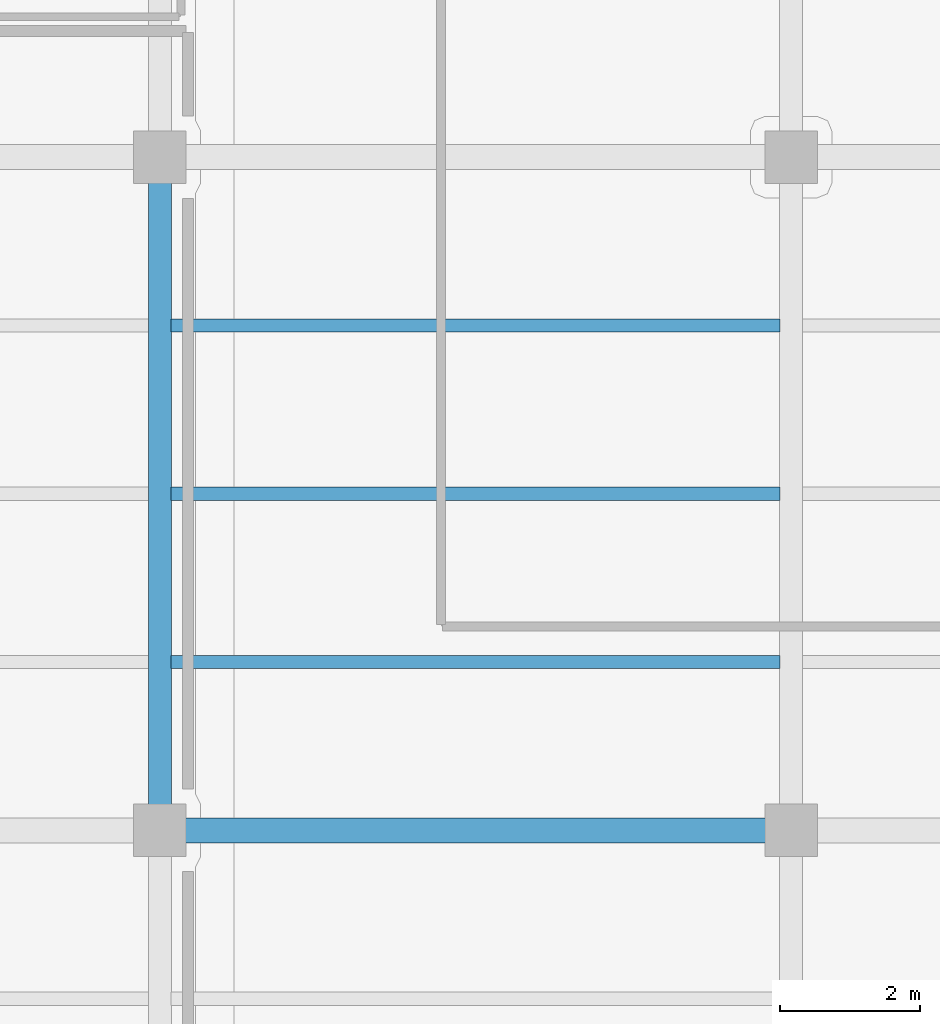
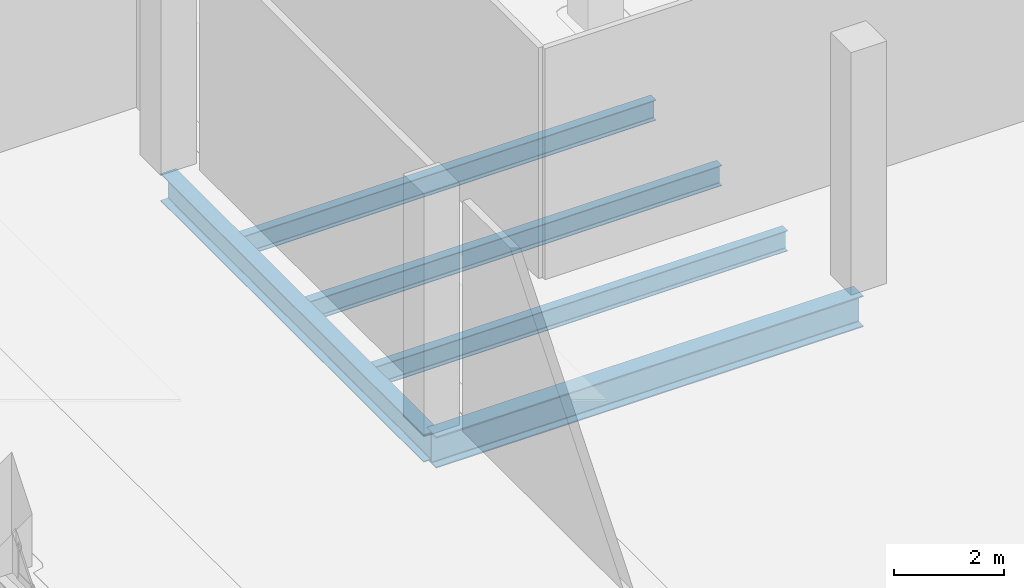
# One storey, part 12 of 47: 5 beams.
"""IFC4 building model written with IfcOpenShell, lengths in metres."""

import ifcopenshell
import ifcopenshell.guid

model = None  # the IFC model being written
_history = None  # IfcOwnerHistory: only IFC2X3 demands one
_inside = {}  # id of a spatial element -> (the spatial element, [elements in it])
_under = {}  # id of a project, library or spatial element -> (it, [spatial elements below it])
_declared = {}  # id of a project -> (the project, [libraries it declares])
_typed = {}  # id of a type object -> (the type object, [elements of that type])
_made_of = {}  # id of a material, layer set ... -> (it, [elements and type objects made of it])


def new_model(schema):
    """Start an empty IFC model of exactly this schema.

    Asked for "IFC4X3", IfcOpenShell would pick the latest addendum, in which some entities
    have other attributes; the version numbers below select the first issue.
    IFC2X3 requires an IfcOwnerHistory on every rooted entity: one is made here for all.
    """
    global model, _history
    if schema == "IFC4X3":
        model = ifcopenshell.file(schema_version=(4, 3, 0, 0))
    else:
        model = ifcopenshell.file(schema=schema)
    _inside.clear()
    _under.clear()
    _declared.clear()
    _typed.clear()
    _made_of.clear()
    _history = None
    if model.schema == "IFC2X3":
        org = make("IfcOrganization", Name="unknown")
        user = make(
            "IfcPersonAndOrganization",
            ThePerson=make("IfcPerson", FamilyName="unknown"),
            TheOrganization=org,
        )
        app = make(
            "IfcApplication",
            ApplicationDeveloper=org,
            Version="unknown",
            ApplicationFullName="unknown",
            ApplicationIdentifier="unknown",
        )
        _history = make(
            "IfcOwnerHistory",
            OwningUser=user,
            OwningApplication=app,
            ChangeAction="ADDED",
            CreationDate=0,
        )
    return model


def make(cls, **values):
    """One entity of the class cls with the attributes given. An attribute that is None is left unset."""
    return model.create_entity(
        cls, **{name: value for name, value in values.items() if value is not None}
    )


def rooted(cls, **values):
    """An entity with a GlobalId (a new one), such as an element, a storey or a relation."""
    return make(cls, GlobalId=ifcopenshell.guid.new(), OwnerHistory=_history, **values)


def si_unit(unit_type, name, prefix=None):
    """IfcSIUnit, for example si_unit("LENGTHUNIT", "METRE", prefix="MILLI")."""
    return make("IfcSIUnit", UnitType=unit_type, Prefix=prefix, Name=name)


def assignment(units):
    """IfcUnitAssignment: the units of a project."""
    return None if units is None else make("IfcUnitAssignment", Units=units)


def point(xyz):
    """IfcCartesianPoint."""
    return None if xyz is None else make("IfcCartesianPoint", Coordinates=xyz)


def direction(xyz):
    """IfcDirection."""
    return None if xyz is None else make("IfcDirection", DirectionRatios=xyz)


def frame(location, z_axis=None, x_axis=None):
    """IfcAxis2Placement3D, a coordinate frame: its origin and axes. An axis left out is left unset."""
    return make(
        "IfcAxis2Placement3D",
        Location=point(location),
        Axis=direction(z_axis),
        RefDirection=direction(x_axis),
    )


def frame_2d(location, x_axis=None):
    """IfcAxis2Placement2D, a coordinate frame in the plane: its origin and x axis."""
    return make(
        "IfcAxis2Placement2D", Location=point(location), RefDirection=direction(x_axis)
    )


def origin():
    """The frame at (0, 0, 0) with its axes left unset."""
    return frame((0.0, 0.0, 0.0))


def origin_2d():
    """The frame at (0, 0) in the plane with its x axis left unset."""
    return frame_2d((0.0, 0.0))


def place(relative_to, where):
    """IfcLocalPlacement: puts the frame where relative to a parent placement (None: the world)."""
    return make(
        "IfcLocalPlacement", PlacementRelTo=relative_to, RelativePlacement=where
    )


def context(
    kind, dimensions, precision=None, world=None, true_north=None, identifier=None
):
    """IfcGeometricRepresentationContext, for example the 3D "Model" context."""
    return make(
        "IfcGeometricRepresentationContext",
        ContextIdentifier=identifier,
        ContextType=kind,
        CoordinateSpaceDimension=dimensions,
        Precision=precision,
        WorldCoordinateSystem=world,
        TrueNorth=true_north,
    )


def subcontext(parent, identifier, kind, view, scale=None):
    """IfcGeometricRepresentationSubContext, for example "Body" below "Model"."""
    return make(
        "IfcGeometricRepresentationSubContext",
        ContextIdentifier=identifier,
        ContextType=kind,
        ParentContext=parent,
        TargetScale=scale,
        TargetView=view,
    )


def project(units=None, contexts=None):
    """IfcProject with its units and contexts."""
    return rooted(
        "IfcProject",
        Name="project",
        RepresentationContexts=contexts,
        UnitsInContext=assignment(units),
    )


def spatial(cls, under=None, at=None, **own):
    """A site, building, storey or space (cls), placed at a placement, below another one or the project."""
    s = rooted(cls, ObjectPlacement=at, **own)
    if under is not None:
        _under.setdefault(under.id(), (under, []))[1].append(s)
    return s


def profile(cls, at=None, kind="AREA", **sizes):
    """A parametric profile (cls). Its sizes go by their IFC names, for example OverallWidth=200.0."""
    return make(cls, ProfileType=kind, Position=at, **sizes)


def i_section(**sizes):
    """IfcIShapeProfileDef."""
    return profile("IfcIShapeProfileDef", **sizes)


def extrude(swept, where, along, depth):
    """IfcExtrudedAreaSolid: the profile swept, set in the frame where, extruded along a direction by depth."""
    return make(
        "IfcExtrudedAreaSolid",
        SweptArea=swept,
        Position=where,
        ExtrudedDirection=direction(along),
        Depth=depth,
    )


def shape(context_of_items, identifier, shape_type, items):
    """IfcShapeRepresentation: the items that make up one representation, for example the "Body"."""
    return make(
        "IfcShapeRepresentation",
        ContextOfItems=context_of_items,
        RepresentationIdentifier=identifier,
        RepresentationType=shape_type,
        Items=items,
    )


def material(Name=None, Category=None):
    """IfcMaterial."""
    return make("IfcMaterial", Name=Name, Category=Category)


def material_profile(
    of_material, cross_section, Name=None, Category=None, Priority=None
):
    """IfcMaterialProfile: a cross section and its material."""
    return make(
        "IfcMaterialProfile",
        Name=Name,
        Material=of_material,
        Profile=cross_section,
        Priority=Priority,
        Category=Category,
    )


def profile_set(profiles, Name=None, composite=None):
    """IfcMaterialProfileSet."""
    return make(
        "IfcMaterialProfileSet",
        Name=Name,
        MaterialProfiles=profiles,
        CompositeProfile=composite,
    )


def made_of(thing, what):
    """Note that an element or type object is made of a material, layer set ...; save() writes the relation."""
    if what is not None:
        _made_of.setdefault(what.id(), (what, []))[1].append(thing)
    return thing


def type_object(cls, material=None, **own):
    """A type object (cls), such as IfcWallType, which elements share."""
    return made_of(rooted(cls, **own), material)


def element(
    cls,
    number,
    at=None,
    inside=None,
    cuts=None,
    type_object=None,
    material=None,
    context=None,
    identifier="Body",
    shape_type=None,
    held_by="IfcProductDefinitionShape",
    body=None,
    shapes=None,
    **own,
):
    """One element of the class cls, such as IfcWall. Its Tag is "e" and its number.

    at: its placement. inside: the storey or other place that contains it. cuts: it is an
    opening in that element (IfcRelVoidsElement). A single representation is given by context,
    identifier, shape_type and body (its items); several are given by shapes. held_by: the class
    of the entity that holds the representations. save() writes the other relations.
    """
    e = rooted(cls, Tag="e%d" % number, ObjectPlacement=at, **own)
    if body is not None:
        shapes = [shape(context, identifier, shape_type, body)]
    if shapes is not None:
        e.Representation = make(held_by, Representations=shapes)
    if inside is not None:
        _inside.setdefault(inside.id(), (inside, []))[1].append(e)
    if cuts is not None:
        rooted(
            "IfcRelVoidsElement", RelatingBuildingElement=cuts, RelatedOpeningElement=e
        )
    if type_object is not None:
        _typed.setdefault(type_object.id(), (type_object, []))[1].append(e)
    return made_of(e, material)


def aggregate(whole, parts):
    """IfcRelAggregates: a whole, such as a stair, and the parts it consists of."""
    return rooted("IfcRelAggregates", RelatingObject=whole, RelatedObjects=parts)


def save(model, path):
    """Write the relations noted so far, then the file.

    IfcRelAggregates (storeys below a building ...), IfcRelContainedInSpatialStructure (elements
    in a storey), IfcRelDefinesByType, IfcRelAssociatesMaterial and IfcRelDeclares: one each for
    every whole, place, type object, material and project.
    """
    for whole, parts in _under.values():
        aggregate(whole, parts)
    for where, things in _inside.values():
        rooted(
            "IfcRelContainedInSpatialStructure",
            RelatedElements=things,
            RelatingStructure=where,
        )
    for kind, things in _typed.values():
        rooted("IfcRelDefinesByType", RelatedObjects=things, RelatingType=kind)
    for what, things in _made_of.values():
        rooted("IfcRelAssociatesMaterial", RelatedObjects=things, RelatingMaterial=what)
    for by, libraries in _declared.values():
        rooted("IfcRelDeclares", RelatingContext=by, RelatedDefinitions=libraries)
    model.write(path)


model = new_model("IFC4")

# Units and contexts
model_context = context("Model", 3, precision=1e-05, world=origin(), true_north=direction((0.0, 1.0)))
body_context = subcontext(model_context, "Body", "Model", "MODEL_VIEW")
ifc_project = project(units=[si_unit("LENGTHUNIT", "METRE"), si_unit("AREAUNIT", "SQUARE_METRE"), si_unit("VOLUMEUNIT", "CUBIC_METRE"), si_unit("PLANEANGLEUNIT", "RADIAN"), si_unit("MASSUNIT", "GRAM", prefix="KILO")], contexts=[model_context])

# Site, building, storey
site_placement = place(None, origin())
site = spatial("IfcSite", under=ifc_project, at=site_placement, CompositionType="ELEMENT")
building_placement = place(site_placement, origin())
building = spatial("IfcBuilding", under=site, at=building_placement, Name="Qorvath Tower", CompositionType="ELEMENT")
storey_placement = place(building_placement, frame((0.0, 0.0, 6.60009765625)))
storey = spatial("IfcBuildingStorey", under=building, at=storey_placement, Name="L01", CompositionType="ELEMENT", Elevation=6.60009765625)

# Beams
ifc_material_1 = material(Name="Steel ASTM A992 Grade 50", Category="steel")
ifc_material_profile_1 = material_profile(ifc_material_1, i_section(OverallWidth=0.35595703125, OverallDepth=0.696044921875, WebThickness=0.015380859375, FlangeThickness=0.02490234375, FilletRadius=0.01806640625, at=origin_2d()), Name="W27x146")
ifc_profile_set_1 = profile_set([ifc_material_profile_1], Name="Steel ASTM A992 Grade 50")
beam_type_1 = type_object("IfcBeamType", Name="BM-FG4", PredefinedType="BEAM", material=ifc_profile_set_1)
beam_1_placement = place(storey_placement, frame((41.39990234375, 9.60009765625, -0.60791015625), z_axis=(1.0, 0.0, 0.0), x_axis=(0.0, 1.0, 0.0)))
element("IfcBeam", 1, at=beam_1_placement, inside=storey, type_object=beam_type_1, Name="Library E-W Girder L01-6-2", PredefinedType="BEAM", context=body_context, shape_type="SweptSolid", body=[
    extrude(i_section(OverallWidth=0.35595703125, OverallDepth=0.696044921875, WebThickness=0.015380859375, FlangeThickness=0.02490234375, FilletRadius=0.01806640625, at=origin_2d()), origin(), (0.0, 0.0, 1.0), 9.0),
])
ifc_material_2 = material(Name="Steel ASTM A992 Grade 50", Category="steel")
ifc_material_profile_2 = material_profile(ifc_material_2, i_section(OverallWidth=0.324951171875, OverallDepth=0.615966796875, WebThickness=0.013916015625, FlangeThickness=0.021484375, FilletRadius=0.01611328125, at=origin_2d()), Name="W24x117")
ifc_profile_set_2 = profile_set([ifc_material_profile_2], Name="Steel ASTM A992 Grade 50")
beam_type_2 = type_object("IfcBeamType", Name="BM-FG5", PredefinedType="BEAM", material=ifc_profile_set_2)
beam_2_placement = place(storey_placement, frame((41.39990234375, 9.60009765625, -0.568115234375), z_axis=(0.0, 1.0, 0.0), x_axis=(-1.0, 0.0, 0.0)))
element("IfcBeam", 2, at=beam_2_placement, inside=storey, type_object=beam_type_2, Name="Library N-S Girder L01-2-6", PredefinedType="BEAM", context=body_context, shape_type="SweptSolid", body=[
    extrude(i_section(OverallWidth=0.324951171875, OverallDepth=0.615966796875, WebThickness=0.013916015625, FlangeThickness=0.021484375, FilletRadius=0.01611328125, at=origin_2d()), origin(), (0.0, 0.0, 1.0), 9.599853515625),
])
ifc_material_3 = material(Name="Steel ASTM A992 Grade 50", Category="steel")
ifc_material_profile_3 = material_profile(ifc_material_3, i_section(OverallWidth=0.18994140625, OverallDepth=0.45703125, WebThickness=0.009033203125, FlangeThickness=0.014404296875, FilletRadius=0.011962890625, at=origin_2d()), Name="W18x50")
ifc_profile_set_3 = profile_set([ifc_material_profile_3], Name="Steel ASTM A992 Grade 50")
beam_type_3 = type_object("IfcBeamType", Name="BM-FJ2", PredefinedType="JOIST", material=ifc_profile_set_3)
for number, where, z_axis, x_axis, name in (
    (3, (41.560546875, 12.0, -0.488525390625), (1.0, 0.0, 0.0), (0.0, 1.0, 0.0), "Library Stack Joist L01-6.1-2"),
    (4, (41.560546875, 14.39990234375, -0.488525390625), (1.0, 0.0, 0.0), (0.0, 1.0, 0.0), "Library Stack Joist L01-6.2-2"),
    (5, (41.560546875, 16.800048828125, -0.488525390625), (1.0, 0.0, 0.0), (0.0, 1.0, 0.0), "Library Stack Joist L01-6.3-2"),
):
    element("IfcBeam", number, at=place(storey_placement, frame(where, z_axis=z_axis, x_axis=x_axis)), inside=storey, type_object=beam_type_3, Name=name, PredefinedType="JOIST", context=body_context, shape_type="SweptSolid", body=[
        extrude(i_section(OverallWidth=0.18994140625, OverallDepth=0.45703125, WebThickness=0.009033203125, FlangeThickness=0.014404296875, FilletRadius=0.011962890625, at=origin_2d()), origin(), (0.0, 0.0, 1.0), 8.678955078125),
    ])

save(model, "model.ifc")
